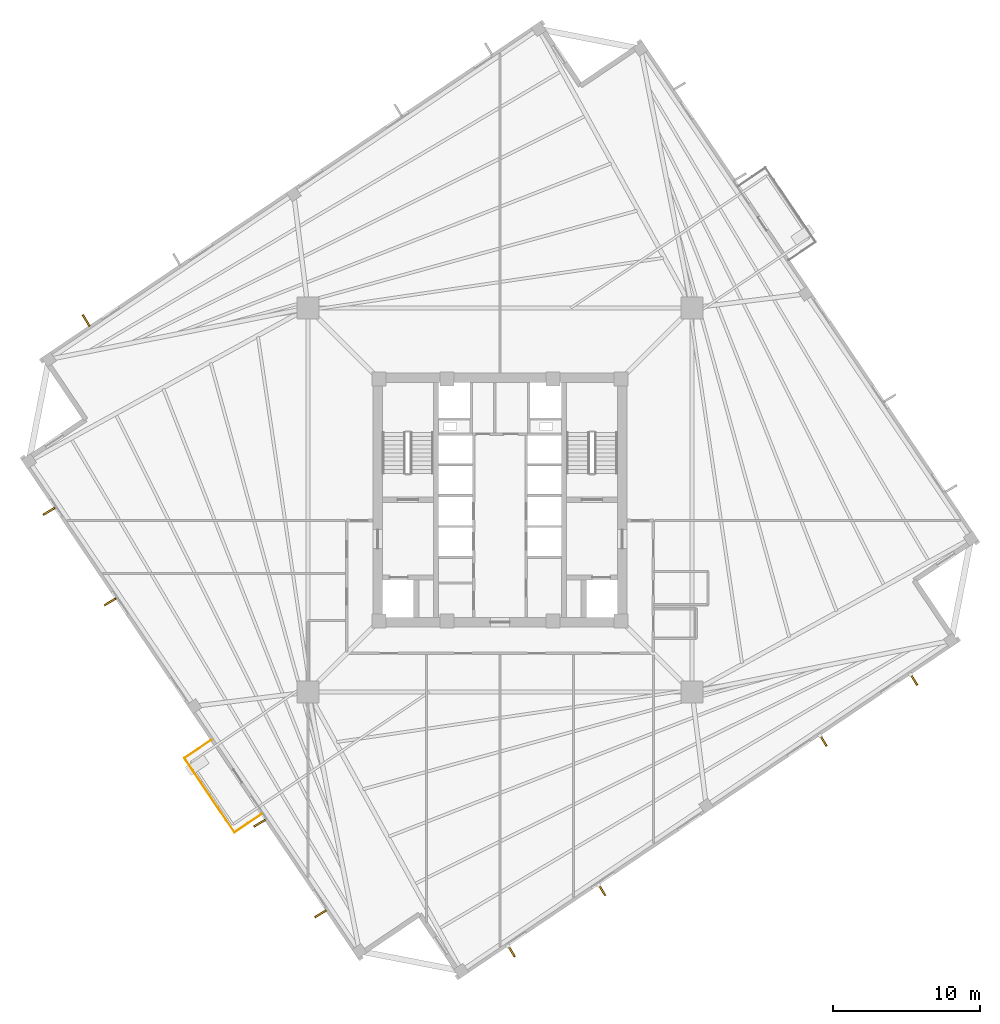
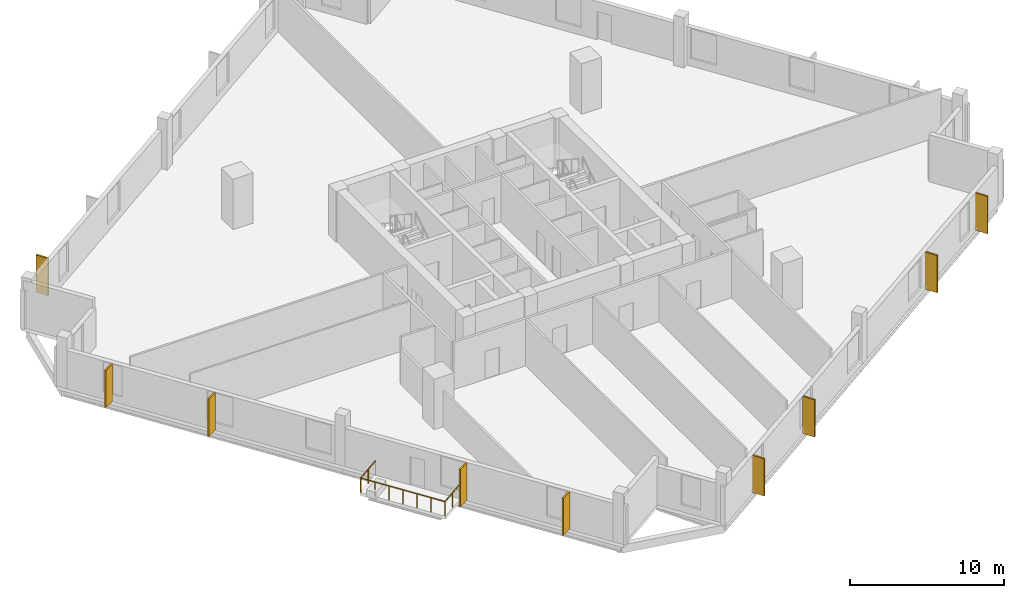
# One storey, part 7 of 9: 9 coverings, 3 railings.
"""IFC4 building model written with IfcOpenShell, lengths in metres."""

from ifc_helpers import new_model, si_unit, direction, frame, origin, origin_2d, place, context, subcontext, project, spatial, rectangle, circle, extrude, source, transform, mapped, material, layer, layer_set, type_object, element, save


model = new_model("IFC4")

# Units and contexts
model_context = context("Model", 3, precision=1e-05, world=origin(), true_north=direction((0.0, 1.0)))
body_context = subcontext(model_context, "Body", "Model", "MODEL_VIEW")
ifc_project = project(units=[si_unit("LENGTHUNIT", "METRE"), si_unit("AREAUNIT", "SQUARE_METRE"), si_unit("VOLUMEUNIT", "CUBIC_METRE"), si_unit("PLANEANGLEUNIT", "RADIAN"), si_unit("MASSUNIT", "GRAM", prefix="KILO"), si_unit("THERMODYNAMICTEMPERATUREUNIT", "KELVIN")], contexts=[model_context])

# Site, building, storey
site_placement = place(None, origin())
site = spatial("IfcSite", under=ifc_project, at=site_placement, CompositionType="ELEMENT")
building_placement = place(site_placement, origin())
building = spatial("IfcBuilding", under=site, at=building_placement, Name="Kosmvard Interchange Tower", CompositionType="ELEMENT")
storey_placement = place(building_placement, frame((0.0, 0.0, 144.39990234375)))
storey = spatial("IfcBuildingStorey", under=building, at=storey_placement, Name="L34", CompositionType="ELEMENT", Elevation=144.39990234375)

# Coverings
ifc_material_1 = material(Name="Architectural anodised aluminium", Category="aluminium")
ifc_layer = layer(ifc_material_1, 0.1201171875, Name="Architectural anodised aluminium")
ifc_layer_set = layer_set([ifc_layer], Name="Architectural anodised aluminium")
covering_type = type_object("IfcCoveringType", Name="Rotating Vertical Sun-Breaker Fin 900x120 Aluminium", PredefinedType="CLADDING", material=ifc_layer_set)
shared_shape_1 = source(origin(), body_context, "Body", "SweptSolid", [
    extrude(rectangle(XDim=0.89990234375, YDim=0.1201171875, at=origin_2d()), origin(), (0.0, 0.0, 1.0), 2.9599609375),
])
for number, where, z_axis, x_axis, name in (
    (1, (0.774169921875, -30.718994140625, 0.0400390625), (0.0, 0.0, 1.0), (0.516084917685, -0.856537423431, 0.0), "L34 Rotating Vertical Sun-Breaker Fin 01"),
    (2, (6.943115234375, -26.557861328125, 0.0400390625), (0.0, 0.0, 1.0), (0.516084917685, -0.856537423431, 0.0), "L34 Rotating Vertical Sun-Breaker Fin 02"),
    (3, (22.02294921875, -16.38623046875, 0.0400390625), (0.0, 0.0, 1.0), (0.516084917685, -0.856537423431, 0.0), "L34 Rotating Vertical Sun-Breaker Fin 03"),
    (4, (28.192138671875, -12.225341796875, 0.0400390625), (0.0, 0.0, 1.0), (0.516084917685, -0.856537423431, 0.0), "L34 Rotating Vertical Sun-Breaker Fin 04"),
    (5, (-28.192138671875, 12.225341796875, 0.0400390625), (0.0, 0.0, 1.0), (-0.516084917685, 0.856537423431, 0.0), "L34 Rotating Vertical Sun-Breaker Fin 12"),
    (6, (-30.718994140625, -0.774169921875, 0.0400390625), (0.0, 0.0, 1.0), (-0.856537423431, -0.516084917685, 0.0), "L34 Rotating Vertical Sun-Breaker Fin 13"),
    (7, (-26.557861328125, -6.943115234375, 0.0400390625), (0.0, 0.0, 1.0), (-0.856537423431, -0.516084917685, 0.0), "L34 Rotating Vertical Sun-Breaker Fin 14"),
    (8, (-16.38623046875, -22.02294921875, 0.0400390625), (0.0, 0.0, 1.0), (-0.856537423431, -0.516084917685, 0.0), "L34 Rotating Vertical Sun-Breaker Fin 15"),
    (9, (-12.225341796875, -28.192138671875, 0.0400390625), (0.0, 0.0, 1.0), (-0.856537423431, -0.516084917685, 0.0), "L34 Rotating Vertical Sun-Breaker Fin 16"),
):
    element("IfcCovering", number, at=place(storey_placement, frame(where, z_axis=z_axis, x_axis=x_axis)), inside=storey, type_object=covering_type, Name=name, PredefinedType="CLADDING", context=body_context, shape_type="MappedRepresentation", body=[
        mapped(shared_shape_1, transform((0.0, 0.0, 0.0), scale=1.0)),
    ])

# Railings
ifc_material_2 = material(Name="Steel S355", Category="steel")
railing_type = type_object("IfcRailingType", Name="Observation & Balcony Glass-Infill Balustrade 1150", PredefinedType="BALUSTRADE", material=ifc_material_2)
shared_shape_2 = source(origin(), body_context, "Body", "SweptSolid", [
    extrude(circle(Radius=0.02392578125, at=origin_2d()), frame((0.0, 0.0, 1.1259765625), z_axis=(0.829050594418, 0.559173597279, 0.0), x_axis=(-0.559173597279, 0.829050594418, 0.0)), (0.0, 0.0, 1.0), 2.2001953125),
    extrude(circle(Radius=0.02099609375, at=origin_2d()), origin(), (0.0, 0.0, 1.0), 1.101806640625),
    extrude(circle(Radius=0.02099609375, at=origin_2d()), frame((0.912109375, 0.615234375, 0.0)), (0.0, 0.0, 1.0), 1.101806640625),
    extrude(circle(Radius=0.02099609375, at=origin_2d()), frame((1.823974609375, 1.230224609375, 0.0)), (0.0, 0.0, 1.0), 1.101806640625),
])
railing_1_placement = place(storey_placement, frame((-18.0859375, -22.6328125, 0.0)))
element("IfcRailing", 10, at=railing_1_placement, inside=storey, type_object=railing_type, Name="L34 Outdoor Terrace Guard BAL-L34-W-C", PredefinedType="BALUSTRADE", context=body_context, shape_type="MappedRepresentation", body=[
    mapped(shared_shape_2, transform((0.0, 0.0, 0.0), scale=1.0)),
])
shared_shape_3 = source(origin(), body_context, "Body", "SweptSolid", [
    extrude(circle(Radius=0.02392578125, at=origin_2d()), frame((0.0, 0.0, 1.1259765625), z_axis=(-0.829050594418, -0.559173597279, 0.0), x_axis=(0.559173597279, -0.829050594418, 0.0)), (0.0, 0.0, 1.0), 2.2001953125),
    extrude(circle(Radius=0.02099609375, at=origin_2d()), origin(), (0.0, 0.0, 1.0), 1.101806640625),
    extrude(circle(Radius=0.02099609375, at=origin_2d()), frame((-0.912109375, -0.615234375, 0.0)), (0.0, 0.0, 1.0), 1.101806640625),
    extrude(circle(Radius=0.02099609375, at=origin_2d()), frame((-1.823974609375, -1.230224609375, 0.0)), (0.0, 0.0, 1.0), 1.101806640625),
])
railing_2_placement = place(storey_placement, frame((-19.673095703125, -16.345458984375, 0.0)))
element("IfcRailing", 11, at=railing_2_placement, inside=storey, type_object=railing_type, Name="L34 Outdoor Terrace Guard BAL-L34-W-A", PredefinedType="BALUSTRADE", context=body_context, shape_type="MappedRepresentation", body=[
    mapped(shared_shape_3, transform((0.0, 0.0, 0.0), scale=1.0)),
])
shared_shape_4 = source(origin(), body_context, "Body", "SweptSolid", [
    extrude(circle(Radius=0.02392578125, at=origin_2d()), frame((0.0, 0.0, 1.1259765625), z_axis=(0.55919924627, -0.829033294248, 0.0), x_axis=(0.829033294248, 0.55919924627, 0.0)), (0.0, 0.0, 1.0), 6.10009765625),
    extrude(circle(Radius=0.02099609375, at=origin_2d()), origin(), (0.0, 0.0, 1.0), 1.101806640625),
    extrude(circle(Radius=0.02099609375, at=origin_2d()), frame((0.568603515625, -0.8427734375, 0.0)), (0.0, 0.0, 1.0), 1.101806640625),
    extrude(circle(Radius=0.02099609375, at=origin_2d()), frame((1.136962890625, -1.685791015625, 0.0)), (0.0, 0.0, 1.0), 1.101806640625),
    extrude(circle(Radius=0.02099609375, at=origin_2d()), frame((1.70556640625, -2.528564453125, 0.0)), (0.0, 0.0, 1.0), 1.101806640625),
    extrude(circle(Radius=0.02099609375, at=origin_2d()), frame((2.274169921875, -3.371337890625, 0.0)), (0.0, 0.0, 1.0), 1.101806640625),
    extrude(circle(Radius=0.02099609375, at=origin_2d()), frame((2.842529296875, -4.21435546875, 0.0)), (0.0, 0.0, 1.0), 1.101806640625),
    extrude(circle(Radius=0.02099609375, at=origin_2d()), frame((3.4111328125, -5.05712890625, 0.0)), (0.0, 0.0, 1.0), 1.101806640625),
])
railing_3_placement = place(storey_placement, frame((-21.4970703125, -17.57568359375, 0.0)))
element("IfcRailing", 12, at=railing_3_placement, inside=storey, type_object=railing_type, Name="L34 Outdoor Terrace Guard BAL-L34-W-B", PredefinedType="BALUSTRADE", context=body_context, shape_type="MappedRepresentation", body=[
    mapped(shared_shape_4, transform((0.0, 0.0, 0.0), scale=1.0)),
])

save(model, "model.ifc")
